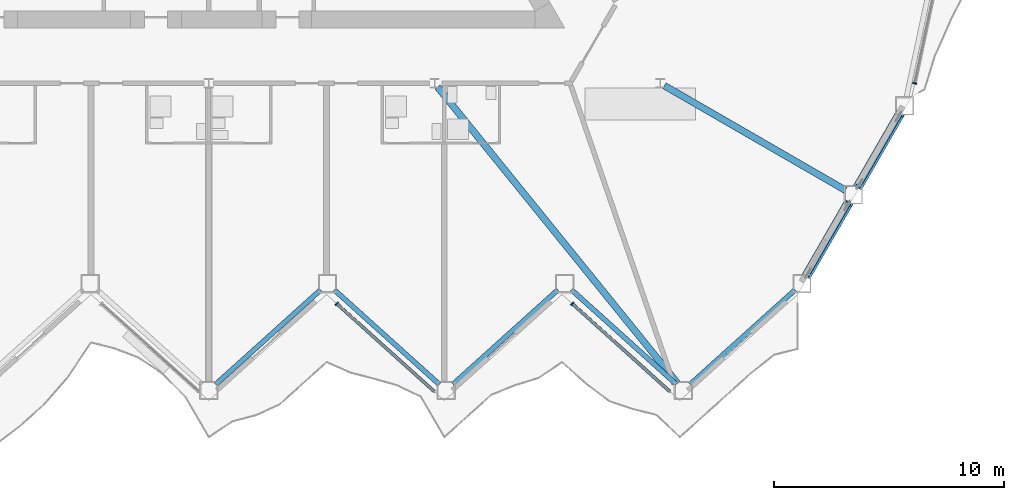
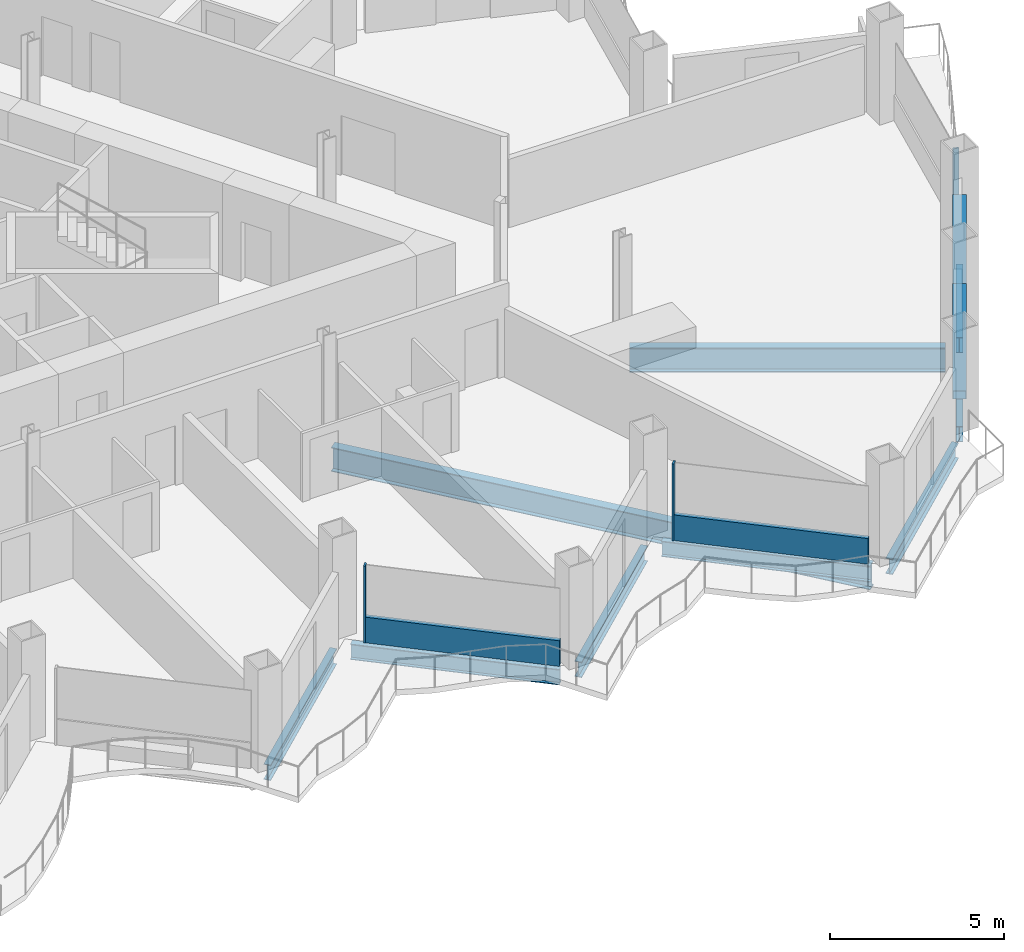
# One storey, part 5 of 23: 9 beams, 7 members, 3 elements without a shape of their own.
"""IFC4 building model written with IfcOpenShell, lengths in metres."""

from ifc_helpers import new_model, si_unit, direction, frame, origin, origin_2d, place, context, subcontext, project, spatial, rectangle, hollow_rectangle, i_section, extrude, material, layer, layer_set, material_profile, profile_set, type_object, element, aggregate, save


model = new_model("IFC4")

# Units and contexts
model_context = context("Model", 3, precision=1e-05, world=origin(), true_north=direction((0.0, 1.0)))
body_context = subcontext(model_context, "Body", "Model", "MODEL_VIEW")
ifc_project = project(units=[si_unit("LENGTHUNIT", "METRE"), si_unit("AREAUNIT", "SQUARE_METRE"), si_unit("VOLUMEUNIT", "CUBIC_METRE"), si_unit("PLANEANGLEUNIT", "RADIAN"), si_unit("MASSUNIT", "GRAM", prefix="KILO")], contexts=[model_context])

# Site, building, storey
site_placement = place(None, origin())
site = spatial("IfcSite", under=ifc_project, at=site_placement, CompositionType="ELEMENT")
building_placement = place(site_placement, origin())
building = spatial("IfcBuilding", under=site, at=building_placement, Name="Cormorant Prow Tower", CompositionType="ELEMENT")
storey_placement = place(building_placement, frame((0.0, 0.0, 183.60009765625)))
storey = spatial("IfcBuildingStorey", under=building, at=storey_placement, Name="L39", CompositionType="ELEMENT", Elevation=183.60009765625)

# Members
ifc_material_1 = material(Name="Structural steel ASTM A500 Gr C", Category="steel")
ifc_material_profile_1 = material_profile(ifc_material_1, hollow_rectangle(XDim=0.406494140625, YDim=0.406494140625, WallThickness=0.01171875, at=origin_2d()), Name="HSS16x16x1/2")
ifc_profile_set_1 = profile_set([ifc_material_profile_1], Name="Structural steel ASTM A500 Gr C")
member_type_1 = type_object("IfcMemberType", Name="Chamfer brace HSS16x16x1/2", PredefinedType="BRACE", material=ifc_profile_set_1)
member_1_placement = place(storey_placement, frame((26.0322265625, -19.7099609375, 0.739990234375), z_axis=(0.474017648602, 0.820985582338, 0.318260808783), x_axis=(-0.866015628144, 0.500016931523, 0.0)))
element("IfcMember", 1, at=member_1_placement, inside=storey, type_object=member_type_1, Name="Chamfer brace BR2 at ESE00 L39", PredefinedType="BRACE", context=body_context, shape_type="SweptSolid", body=[
    extrude(hollow_rectangle(XDim=0.406494140625, YDim=0.406494140625, WallThickness=0.01171875, at=origin_2d()), origin(), (0.0, 0.0, 1.0), 3.83544921875),
])
member_2_placement = place(storey_placement, frame((28.267333984375, -15.838623046875, 0.739990234375), z_axis=(0.473992878603, 0.821006330213, 0.318244177926), x_axis=(-0.866032413668, 0.499987858329, 0.0)))
element("IfcMember", 2, at=member_2_placement, inside=storey, type_object=member_type_1, Name="Chamfer brace BR2 at ESE01 L39", PredefinedType="BRACE", context=body_context, shape_type="SweptSolid", body=[
    extrude(hollow_rectangle(XDim=0.406494140625, YDim=0.406494140625, WallThickness=0.01171875, at=origin_2d()), origin(), (0.0, 0.0, 1.0), 3.835693359375),
])

# Curtain wall, member
ifc_material_2 = material(Name="Aluminium 6063-T6", Category="aluminium")
ifc_layer = layer(ifc_material_2, 0.179931640625)
ifc_layer_set = layer_set([ifc_layer], Name="Aluminium 6063-T6")
curtain_wall_type = type_object("IfcCurtainWallType", Name="Hotel unitised curtain wall 180", PredefinedType="NOTDEFINED", material=ifc_layer_set)
curtain_wall_1_placement = place(storey_placement, origin())
curtain_wall_1 = element("IfcCurtainWall", 3, at=curtain_wall_1_placement, inside=storey, type_object=curtain_wall_type, Name="Hotel curtain wall S06", PredefinedType="NOTDEFINED")
ifc_material_3 = material(Name="Aluminium 6063-T6", Category="aluminium")
ifc_material_profile_2 = material_profile(ifc_material_3, rectangle(XDim=0.179931640625, YDim=0.06005859375, at=origin_2d()), Name="Hotel mullion 60x180")
ifc_profile_set_2 = profile_set([ifc_material_profile_2], Name="Aluminium 6063-T6")
member_type_2 = type_object("IfcMemberType", Name="Hotel mullion 60x180", PredefinedType="MULLION", material=ifc_profile_set_2)
member_3_placement = place(storey_placement, frame((5.571533203125, -20.94189453125, 0.0), z_axis=(0.0, 0.0, 1.0), x_axis=(0.669130655957, 0.743144780819, 0.0)))
member_3 = element("IfcMember", 4, at=member_3_placement, type_object=member_type_2, Name="Hotel mullion S06", PredefinedType="MULLION", context=body_context, shape_type="SweptSolid", body=[
    extrude(rectangle(XDim=0.179931640625, YDim=0.06005859375, at=origin_2d()), origin(), (0.0, 0.0, 1.0), 2.70068359375),
])

curtain_wall_2_placement = place(storey_placement, origin())
curtain_wall_2 = element("IfcCurtainWall", 5, at=curtain_wall_2_placement, inside=storey, type_object=curtain_wall_type, Name="Hotel curtain wall S08", PredefinedType="NOTDEFINED")
member_4_placement = place(storey_placement, frame((15.82568359375, -20.94189453125, 0.0), z_axis=(0.0, 0.0, 1.0), x_axis=(0.669130583881, 0.743144845716, 0.0)))
member_4 = element("IfcMember", 6, at=member_4_placement, type_object=member_type_2, Name="Hotel mullion S08", PredefinedType="MULLION", context=body_context, shape_type="SweptSolid", body=[
    extrude(rectangle(XDim=0.179931640625, YDim=0.06005859375, at=origin_2d()), origin(), (0.0, 0.0, 1.0), 2.70068359375),
])

curtain_wall_3_placement = place(storey_placement, origin())
curtain_wall_3 = element("IfcCurtainWall", 7, at=curtain_wall_3_placement, inside=storey, type_object=curtain_wall_type, Name="Hotel curtain wall ENE00", PredefinedType="NOTDEFINED")
member_5_placement = place(storey_placement, frame((30.731689453125, -11.34521484375, 0.0), z_axis=(0.0, 0.0, 1.0), x_axis=(-0.978147591622, 0.207911733685, 0.0)))
member_5 = element("IfcMember", 8, at=member_5_placement, type_object=member_type_2, Name="Hotel mullion ENE00", PredefinedType="MULLION", context=body_context, shape_type="SweptSolid", body=[
    extrude(rectangle(XDim=0.179931640625, YDim=0.06005859375, at=origin_2d()), origin(), (0.0, 0.0, 1.0), 2.70068359375),
])
aggregate(curtain_wall_3, [member_5])

# Member
ifc_material_4 = material(Name="Terracotta", Category="masonry")
ifc_material_profile_3 = material_profile(ifc_material_4, rectangle(XDim=0.139892578125, YDim=0.89990234375, at=origin_2d()), Name="Hotel terracotta spandrel rail 140x900")
ifc_profile_set_3 = profile_set([ifc_material_profile_3], Name="Terracotta")
member_type_3 = type_object("IfcMemberType", Name="Hotel terracotta spandrel rail 140x900", PredefinedType="USERDEFINED", material=ifc_profile_set_3)
member_6_placement = place(storey_placement, frame((5.59375, -20.9619140625, 0.449951171875), z_axis=(0.74314512794, -0.66913027044, 0.0), x_axis=(0.66913027044, 0.74314512794, 0.0)))
member_6 = element("IfcMember", 9, at=member_6_placement, type_object=member_type_3, Name="Hotel spandrel rail S06", ObjectType="TRANSOM", PredefinedType="USERDEFINED", context=body_context, shape_type="SweptSolid", body=[
    extrude(rectangle(XDim=0.139892578125, YDim=0.89990234375, at=origin_2d()), origin(), (0.0, 0.0, 1.0), 5.703125),
])

aggregate(curtain_wall_1, [member_3, member_6])

member_7_placement = place(storey_placement, frame((15.84814453125, -20.9619140625, 0.449951171875), z_axis=(0.74314512794, -0.66913027044, 0.0), x_axis=(0.66913027044, 0.74314512794, 0.0)))
member_7 = element("IfcMember", 10, at=member_7_placement, type_object=member_type_3, Name="Hotel spandrel rail S08", ObjectType="TRANSOM", PredefinedType="USERDEFINED", context=body_context, shape_type="SweptSolid", body=[
    extrude(rectangle(XDim=0.139892578125, YDim=0.89990234375, at=origin_2d()), origin(), (0.0, 0.0, 1.0), 5.703125),
])

aggregate(curtain_wall_2, [member_4, member_7])

# Beams
ifc_material_5 = material(Name="Structural steel ASTM A992 Gr 50", Category="steel")
ifc_material_profile_4 = material_profile(ifc_material_5, i_section(OverallWidth=0.29296875, OverallDepth=0.845703125, WebThickness=0.015380859375, FlangeThickness=0.0244140625, at=origin_2d()), Name="W33x141")
ifc_profile_set_4 = profile_set([ifc_material_profile_4], Name="Structural steel ASTM A992 Gr 50")
beam_type_1 = type_object("IfcBeamType", Name="Radial floor beam W33x141", PredefinedType="BEAM", material=ifc_profile_set_4)
beam_1_placement = place(storey_placement, frame((9.95654296875, -11.50732421875, -0.77294921875), z_axis=(0.629385162657, -0.777093505974, 0.0), x_axis=(0.777093505974, 0.629385162657, 0.0)))
element("IfcBeam", 11, at=beam_1_placement, inside=storey, type_object=beam_type_1, Name="Radial floor beam FB2 8 L39", PredefinedType="BEAM", context=body_context, shape_type="SweptSolid", body=[
    extrude(i_section(OverallWidth=0.29296875, OverallDepth=0.845703125, WebThickness=0.015380859375, FlangeThickness=0.0244140625, at=origin_2d()), origin(), (0.0, 0.0, 1.0), 16.6044921875),
])
beam_2_placement = place(storey_placement, frame((19.833251953125, -11.45068359375, -0.77294921875), z_axis=(0.866023373109, -0.500003517217, 0.0), x_axis=(0.500003517217, 0.866023373109, 0.0)))
element("IfcBeam", 12, at=beam_2_placement, inside=storey, type_object=beam_type_1, Name="Radial floor beam FB2 9 L39", PredefinedType="BEAM", context=body_context, shape_type="SweptSolid", body=[
    extrude(i_section(OverallWidth=0.29296875, OverallDepth=0.845703125, WebThickness=0.015380859375, FlangeThickness=0.0244140625, at=origin_2d()), origin(), (0.0, 0.0, 1.0), 9.09814453125),
])
ifc_material_6 = material(Name="Structural steel ASTM A992 Gr 50", Category="steel")
ifc_material_profile_5 = material_profile(ifc_material_6, i_section(OverallWidth=0.2138671875, OverallDepth=0.549072265625, WebThickness=0.0146484375, FlangeThickness=0.023681640625, at=origin_2d()), Name="W21x93")
ifc_profile_set_5 = profile_set([ifc_material_profile_5], Name="Structural steel ASTM A992 Gr 50")
beam_type_2 = type_object("IfcBeamType", Name="Spandrel beam W21x93", PredefinedType="SPANDREL", material=ifc_profile_set_5)
beam_3_placement = place(storey_placement, frame((0.29736328125, -24.453857421875, -0.624755859375), z_axis=(0.743138178716, 0.669137988261, 0.0), x_axis=(-0.669137988261, 0.743138178716, 0.0)))
element("IfcBeam", 13, at=beam_3_placement, inside=storey, type_object=beam_type_2, Name="Spandrel beam SB2 S05-S06 L39", PredefinedType="SPANDREL", context=body_context, shape_type="SweptSolid", body=[
    extrude(i_section(OverallWidth=0.2138671875, OverallDepth=0.549072265625, WebThickness=0.0146484375, FlangeThickness=0.023681640625, at=origin_2d()), origin(), (0.0, 0.0, 1.0), 6.149658203125),
])
beam_4_placement = place(storey_placement, frame((5.4619140625, -20.3388671875, -0.624755859375), z_axis=(0.743155953285, -0.669118247469, 0.0), x_axis=(0.669118247469, 0.743155953285, 0.0)))
element("IfcBeam", 14, at=beam_4_placement, inside=storey, type_object=beam_type_2, Name="Spandrel beam SB2 S06-S07 L39", PredefinedType="SPANDREL", context=body_context, shape_type="SweptSolid", body=[
    extrude(i_section(OverallWidth=0.2138671875, OverallDepth=0.549072265625, WebThickness=0.0146484375, FlangeThickness=0.023681640625, at=origin_2d()), origin(), (0.0, 0.0, 1.0), 6.14990234375),
])
for number, where, z_axis, x_axis, name in (
    (15, (10.626708984375, -24.453857421875, -0.624755859375), (0.743138178716, 0.669137988261, 0.0), (-0.669137988261, 0.743138178716, 0.0), "Spandrel beam SB2 S07-S08 L39"),
    (16, (15.79150390625, -20.3388671875, -0.624755859375), (0.743138178716, -0.669137988261, 0.0), (0.669137988261, 0.743138178716, 0.0), "Spandrel beam SB2 S08-S09 L39"),
):
    element("IfcBeam", number, at=place(storey_placement, frame(where, z_axis=z_axis, x_axis=x_axis)), inside=storey, type_object=beam_type_2, Name=name, PredefinedType="SPANDREL", context=body_context, shape_type="SweptSolid", body=[
        extrude(i_section(OverallWidth=0.2138671875, OverallDepth=0.549072265625, WebThickness=0.0146484375, FlangeThickness=0.023681640625, at=origin_2d()), origin(), (0.0, 0.0, 1.0), 6.149658203125),
    ])
beam_5_placement = place(storey_placement, frame((20.9560546875, -24.453857421875, -0.624755859375), z_axis=(0.743155953285, 0.669118247469, 0.0), x_axis=(-0.669118247469, 0.743155953285, 0.0)))
element("IfcBeam", 17, at=beam_5_placement, inside=storey, type_object=beam_type_2, Name="Spandrel beam SB2 S09-ESE00 L39", PredefinedType="SPANDREL", context=body_context, shape_type="SweptSolid", body=[
    extrude(i_section(OverallWidth=0.2138671875, OverallDepth=0.549072265625, WebThickness=0.0146484375, FlangeThickness=0.023681640625, at=origin_2d()), origin(), (0.0, 0.0, 1.0), 6.14990234375),
])
for number, where, z_axis, x_axis, name in (
    (18, (26.023681640625, -19.724853515625, -0.624755859375), (0.499994986164, 0.866028298505, 0.0), (-0.866028298505, 0.499994986164, 0.0), "Spandrel beam SB2 ESE00-ESE01 L39"),
    (19, (28.2587890625, -15.853271484375, -0.624755859375), (0.499994986164, 0.866028298505, 0.0), (-0.866028298505, 0.499994986164, 0.0), "Spandrel beam SB2 ESE01-ENE00 L39"),
):
    element("IfcBeam", number, at=place(storey_placement, frame(where, z_axis=z_axis, x_axis=x_axis)), inside=storey, type_object=beam_type_2, Name=name, PredefinedType="SPANDREL", context=body_context, shape_type="SweptSolid", body=[
        extrude(i_section(OverallWidth=0.2138671875, OverallDepth=0.549072265625, WebThickness=0.0146484375, FlangeThickness=0.023681640625, at=origin_2d()), origin(), (0.0, 0.0, 1.0), 3.67041015625),
    ])

save(model, "model.ifc")
